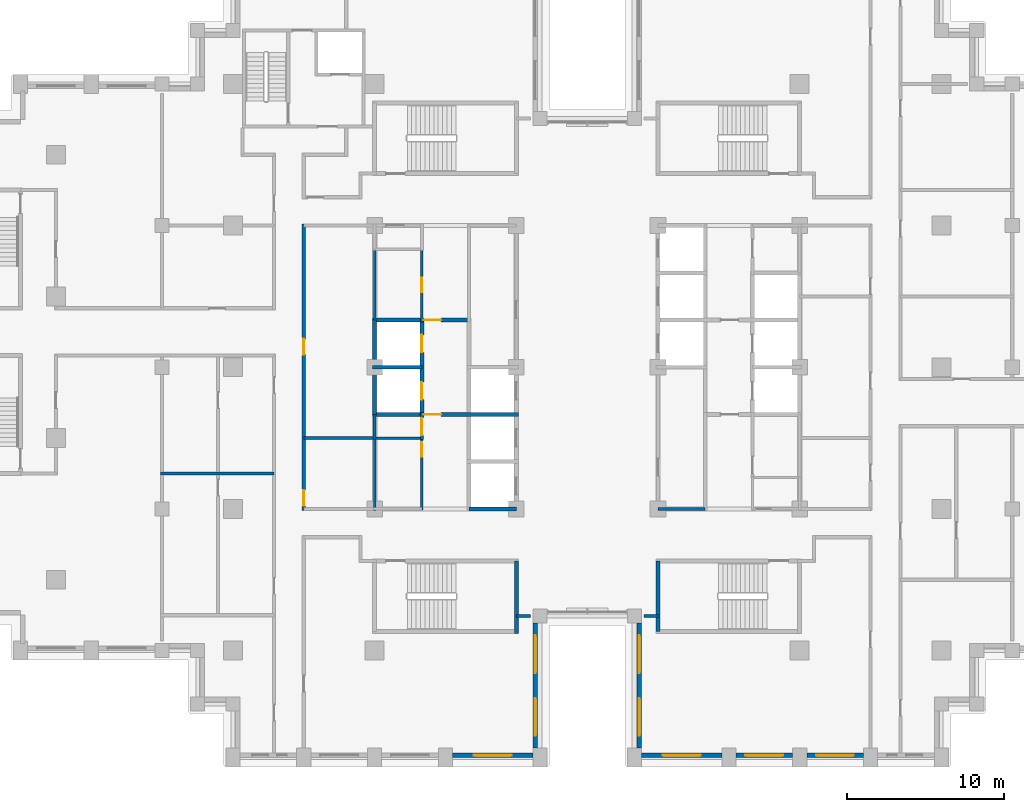
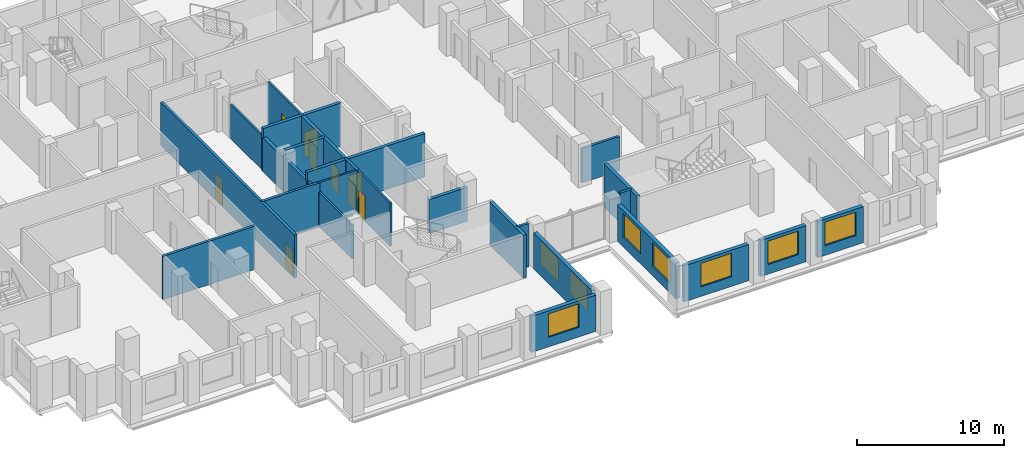
# One storey, part 7 of 16: 27 walls, 9 doors, 8 windows, 17 openings.
"""IFC4 building model written with IfcOpenShell, lengths in metres."""

from ifc_helpers import new_model, si_unit, direction, frame, frame_2d, origin, place, context, subcontext, project, spatial, rectangle, extrude, material, layer, layer_set, type_object, element, fill, save


model = new_model("IFC4")

# Units and contexts
model_context = context("Model", 3, precision=1e-05, world=origin(), true_north=direction((0.0, 1.0)))
body_context = subcontext(model_context, "Body", "Model", "MODEL_VIEW")
ifc_project = project(units=[si_unit("LENGTHUNIT", "METRE"), si_unit("AREAUNIT", "SQUARE_METRE"), si_unit("VOLUMEUNIT", "CUBIC_METRE"), si_unit("PLANEANGLEUNIT", "RADIAN"), si_unit("MASSUNIT", "GRAM", prefix="KILO")], contexts=[model_context])

# Site, building, storey
site_placement = place(None, origin())
site = spatial("IfcSite", under=ifc_project, at=site_placement, CompositionType="ELEMENT")
building_placement = place(site_placement, origin())
building = spatial("IfcBuilding", under=site, at=building_placement, Name="Corbelhall Arena Tower", CompositionType="ELEMENT")
storey_placement = place(building_placement, frame((0.0, 0.0, 116.0)))
storey = spatial("IfcBuildingStorey", under=building, at=storey_placement, Name="L21", CompositionType="ELEMENT", Elevation=116.0)

# Wall, opening, window
ifc_material_1 = material(Name="Precast concrete C40/50 with granite facing", Category="masonry")
ifc_layer_1 = layer(ifc_material_1, 0.300048828125)
ifc_layer_set_1 = layer_set([ifc_layer_1], Name="EV-IW1 Infill panel 300")
wall_type_1 = type_object("IfcWallType", Name="EV-IW1 Infill panel 300", PredefinedType="SOLIDWALL", material=ifc_layer_set_1)
wall_1_placement = place(storey_placement, frame((-8.550048828125, -24.64990234375, 0.0), z_axis=(0.0, 0.0, 1.0), x_axis=(1.0, 0.0, 0.0)))
wall_1 = element("IfcWall", 1, at=wall_1_placement, inside=storey, type_object=wall_type_1, Name="Infill panel IW1", PredefinedType="SOLIDWALL", context=body_context, shape_type="SweptSolid", body=[
    extrude(rectangle(XDim=5.10009765625, YDim=0.300048828125, at=frame_2d((2.550048828125, 0.0))), origin(), (0.0, 0.0, 1.0), 2.99951171875),
])
opening_1_placement = place(wall_1_placement, frame((1.35009765625, 0.0, 0.800048828125)))
opening_1 = element("IfcOpeningElement", 2, at=opening_1_placement, cuts=wall_1, Name="Opening WN1", PredefinedType="OPENING", context=body_context, shape_type="SweptSolid", body=[
    extrude(rectangle(XDim=2.39990234375, YDim=1.949951171875, at=frame_2d((1.199951171875, 0.97509765625))), frame((0.0, 0.14990234375, 0.0), z_axis=(0.0, -1.0, 0.0), x_axis=(1.0, 0.0, 0.0)), (0.0, 0.0, 1.0), 0.300048828125),
])
ifc_material_2 = material(Name="Aluminium black anodised", Category="aluminium")
window_type = type_object("IfcWindowType", Name="EV-WN1 Office window", PartitioningType="SINGLE_PANEL", PredefinedType="WINDOW", material=ifc_material_2)
window_1_placement = place(opening_1_placement, origin())
window_1 = element("IfcWindow", 3, at=window_1_placement, inside=storey, type_object=window_type, Name="Window WN1", OverallHeight=1.949951171875, OverallWidth=2.39990234375, PartitioningType="SINGLE_PANEL", PredefinedType="WINDOW", context=body_context, shape_type="SweptSolid", body=[
    extrude(rectangle(XDim=2.39990234375, YDim=1.949951171875, at=frame_2d((1.199951171875, 0.97509765625))), frame((0.0, 0.030029296875, 0.0), z_axis=(0.0, -1.0, 0.0), x_axis=(1.0, 0.0, 0.0)), (0.0, 0.0, 1.0), 0.06005859375),
])
fill(opening_1, window_1)

# Wall, openings, windows
wall_2_placement = place(storey_placement, frame((-3.300048828125, -24.199951171875, 0.0), z_axis=(0.0, 0.0, 1.0), x_axis=(0.0, 1.0, 0.0)))
wall_2 = element("IfcWall", 4, at=wall_2_placement, inside=storey, type_object=wall_type_1, Name="Infill panel IW1", PredefinedType="SOLIDWALL", context=body_context, shape_type="SweptSolid", body=[
    extrude(rectangle(XDim=7.949951171875, YDim=0.300048828125, at=frame_2d((3.97509765625, 0.0))), origin(), (0.0, 0.0, 1.0), 2.99951171875),
])
opening_2_placement = place(wall_2_placement, frame((0.78759765625, 0.0, 0.800048828125)))
opening_2 = element("IfcOpeningElement", 5, at=opening_2_placement, cuts=wall_2, Name="Opening WN1", PredefinedType="OPENING", context=body_context, shape_type="SweptSolid", body=[
    extrude(rectangle(XDim=2.39990234375, YDim=1.949951171875, at=frame_2d((1.199951171875, 0.97509765625))), frame((0.0, 0.14990234375, 0.0), z_axis=(0.0, -1.0, 0.0), x_axis=(1.0, 0.0, 0.0)), (0.0, 0.0, 1.0), 0.300048828125),
])
opening_3_placement = place(wall_2_placement, frame((4.762451171875, 0.0, 0.800048828125)))
opening_3 = element("IfcOpeningElement", 6, at=opening_3_placement, cuts=wall_2, Name="Opening WN1", PredefinedType="OPENING", context=body_context, shape_type="SweptSolid", body=[
    extrude(rectangle(XDim=2.39990234375, YDim=1.949951171875, at=frame_2d((1.199951171875, 0.97509765625))), frame((0.0, 0.14990234375, 0.0), z_axis=(0.0, -1.0, 0.0), x_axis=(1.0, 0.0, 0.0)), (0.0, 0.0, 1.0), 0.300048828125),
])
window_2_placement = place(opening_2_placement, origin())
window_2 = element("IfcWindow", 7, at=window_2_placement, inside=storey, type_object=window_type, Name="Window WN1", OverallHeight=1.949951171875, OverallWidth=2.39990234375, PartitioningType="SINGLE_PANEL", PredefinedType="WINDOW", context=body_context, shape_type="SweptSolid", body=[
    extrude(rectangle(XDim=2.39990234375, YDim=1.949951171875, at=frame_2d((1.199951171875, 0.97509765625))), frame((0.0, 0.030029296875, 0.0), z_axis=(0.0, -1.0, 0.0), x_axis=(1.0, 0.0, 0.0)), (0.0, 0.0, 1.0), 0.06005859375),
])
fill(opening_2, window_2)
window_3_placement = place(opening_3_placement, origin())
window_3 = element("IfcWindow", 8, at=window_3_placement, inside=storey, type_object=window_type, Name="Window WN1", OverallHeight=1.949951171875, OverallWidth=2.39990234375, PartitioningType="SINGLE_PANEL", PredefinedType="WINDOW", context=body_context, shape_type="SweptSolid", body=[
    extrude(rectangle(XDim=2.39990234375, YDim=1.949951171875, at=frame_2d((1.199951171875, 0.97509765625))), frame((0.0, 0.030029296875, 0.0), z_axis=(0.0, -1.0, 0.0), x_axis=(1.0, 0.0, 0.0)), (0.0, 0.0, 1.0), 0.06005859375),
])
fill(opening_3, window_3)

wall_3_placement = place(storey_placement, frame((3.300048828125, -16.25, 0.0), z_axis=(0.0, 0.0, 1.0), x_axis=(0.0, -1.0, 0.0)))
wall_3 = element("IfcWall", 9, at=wall_3_placement, inside=storey, type_object=wall_type_1, Name="Infill panel IW1", PredefinedType="SOLIDWALL", context=body_context, shape_type="SweptSolid", body=[
    extrude(rectangle(XDim=7.949951171875, YDim=0.300048828125, at=frame_2d((3.97509765625, 0.0))), origin(), (0.0, 0.0, 1.0), 2.99951171875),
])
opening_4_placement = place(wall_3_placement, frame((0.78759765625, 0.0, 0.800048828125)))
opening_4 = element("IfcOpeningElement", 10, at=opening_4_placement, cuts=wall_3, Name="Opening WN1", PredefinedType="OPENING", context=body_context, shape_type="SweptSolid", body=[
    extrude(rectangle(XDim=2.39990234375, YDim=1.949951171875, at=frame_2d((1.199951171875, 0.97509765625))), frame((0.0, 0.14990234375, 0.0), z_axis=(0.0, -1.0, 0.0), x_axis=(1.0, 0.0, 0.0)), (0.0, 0.0, 1.0), 0.300048828125),
])
opening_5_placement = place(wall_3_placement, frame((4.762451171875, 0.0, 0.800048828125)))
opening_5 = element("IfcOpeningElement", 11, at=opening_5_placement, cuts=wall_3, Name="Opening WN1", PredefinedType="OPENING", context=body_context, shape_type="SweptSolid", body=[
    extrude(rectangle(XDim=2.39990234375, YDim=1.949951171875, at=frame_2d((1.199951171875, 0.97509765625))), frame((0.0, 0.14990234375, 0.0), z_axis=(0.0, -1.0, 0.0), x_axis=(1.0, 0.0, 0.0)), (0.0, 0.0, 1.0), 0.300048828125),
])
window_4_placement = place(opening_4_placement, origin())
window_4 = element("IfcWindow", 12, at=window_4_placement, inside=storey, type_object=window_type, Name="Window WN1", OverallHeight=1.949951171875, OverallWidth=2.39990234375, PartitioningType="SINGLE_PANEL", PredefinedType="WINDOW", context=body_context, shape_type="SweptSolid", body=[
    extrude(rectangle(XDim=2.39990234375, YDim=1.949951171875, at=frame_2d((1.199951171875, 0.97509765625))), frame((0.0, 0.030029296875, 0.0), z_axis=(0.0, -1.0, 0.0), x_axis=(1.0, 0.0, 0.0)), (0.0, 0.0, 1.0), 0.06005859375),
])
fill(opening_4, window_4)
window_5_placement = place(opening_5_placement, origin())
window_5 = element("IfcWindow", 13, at=window_5_placement, inside=storey, type_object=window_type, Name="Window WN1", OverallHeight=1.949951171875, OverallWidth=2.39990234375, PartitioningType="SINGLE_PANEL", PredefinedType="WINDOW", context=body_context, shape_type="SweptSolid", body=[
    extrude(rectangle(XDim=2.39990234375, YDim=1.949951171875, at=frame_2d((1.199951171875, 0.97509765625))), frame((0.0, 0.030029296875, 0.0), z_axis=(0.0, -1.0, 0.0), x_axis=(1.0, 0.0, 0.0)), (0.0, 0.0, 1.0), 0.06005859375),
])
fill(opening_5, window_5)

# Wall, opening, window
wall_4_placement = place(storey_placement, frame((3.449951171875, -24.64990234375, 0.0), z_axis=(0.0, 0.0, 1.0), x_axis=(1.0, 0.0, 0.0)))
wall_4 = element("IfcWall", 14, at=wall_4_placement, inside=storey, type_object=wall_type_1, Name="Infill panel IW1", PredefinedType="SOLIDWALL", context=body_context, shape_type="SweptSolid", body=[
    extrude(rectangle(XDim=5.10009765625, YDim=0.300048828125, at=frame_2d((2.550048828125, 0.0))), origin(), (0.0, 0.0, 1.0), 2.99951171875),
])
opening_6_placement = place(wall_4_placement, frame((1.35009765625, 0.0, 0.800048828125)))
opening_6 = element("IfcOpeningElement", 15, at=opening_6_placement, cuts=wall_4, Name="Opening WN1", PredefinedType="OPENING", context=body_context, shape_type="SweptSolid", body=[
    extrude(rectangle(XDim=2.39990234375, YDim=1.949951171875, at=frame_2d((1.199951171875, 0.97509765625))), frame((0.0, 0.14990234375, 0.0), z_axis=(0.0, -1.0, 0.0), x_axis=(1.0, 0.0, 0.0)), (0.0, 0.0, 1.0), 0.300048828125),
])
window_6_placement = place(opening_6_placement, origin())
window_6 = element("IfcWindow", 16, at=window_6_placement, inside=storey, type_object=window_type, Name="Window WN1", OverallHeight=1.949951171875, OverallWidth=2.39990234375, PartitioningType="SINGLE_PANEL", PredefinedType="WINDOW", context=body_context, shape_type="SweptSolid", body=[
    extrude(rectangle(XDim=2.39990234375, YDim=1.949951171875, at=frame_2d((1.199951171875, 0.97509765625))), frame((0.0, 0.030029296875, 0.0), z_axis=(0.0, -1.0, 0.0), x_axis=(1.0, 0.0, 0.0)), (0.0, 0.0, 1.0), 0.06005859375),
])
fill(opening_6, window_6)

wall_5_placement = place(storey_placement, frame((9.449951171875, -24.64990234375, 0.0), z_axis=(0.0, 0.0, 1.0), x_axis=(1.0, 0.0, 0.0)))
wall_5 = element("IfcWall", 17, at=wall_5_placement, inside=storey, type_object=wall_type_1, Name="Infill panel IW1", PredefinedType="SOLIDWALL", context=body_context, shape_type="SweptSolid", body=[
    extrude(rectangle(XDim=3.60009765625, YDim=0.300048828125, at=frame_2d((1.800048828125, 0.0))), origin(), (0.0, 0.0, 1.0), 2.99951171875),
])
opening_7_placement = place(wall_5_placement, frame((0.60009765625, 0.0, 0.800048828125)))
opening_7 = element("IfcOpeningElement", 18, at=opening_7_placement, cuts=wall_5, Name="Opening WN1", PredefinedType="OPENING", context=body_context, shape_type="SweptSolid", body=[
    extrude(rectangle(XDim=2.39990234375, YDim=1.949951171875, at=frame_2d((1.199951171875, 0.97509765625))), frame((0.0, 0.14990234375, 0.0), z_axis=(0.0, -1.0, 0.0), x_axis=(1.0, 0.0, 0.0)), (0.0, 0.0, 1.0), 0.300048828125),
])
window_7_placement = place(opening_7_placement, origin())
window_7 = element("IfcWindow", 19, at=window_7_placement, inside=storey, type_object=window_type, Name="Window WN1", OverallHeight=1.949951171875, OverallWidth=2.39990234375, PartitioningType="SINGLE_PANEL", PredefinedType="WINDOW", context=body_context, shape_type="SweptSolid", body=[
    extrude(rectangle(XDim=2.39990234375, YDim=1.949951171875, at=frame_2d((1.199951171875, 0.97509765625))), frame((0.0, 0.030029296875, 0.0), z_axis=(0.0, -1.0, 0.0), x_axis=(1.0, 0.0, 0.0)), (0.0, 0.0, 1.0), 0.06005859375),
])
fill(opening_7, window_7)

wall_6_placement = place(storey_placement, frame((13.949951171875, -24.64990234375, 0.0), z_axis=(0.0, 0.0, 1.0), x_axis=(1.0, 0.0, 0.0)))
wall_6 = element("IfcWall", 20, at=wall_6_placement, inside=storey, type_object=wall_type_1, Name="Infill panel IW1", PredefinedType="SOLIDWALL", context=body_context, shape_type="SweptSolid", body=[
    extrude(rectangle(XDim=3.60009765625, YDim=0.300048828125, at=frame_2d((1.800048828125, 0.0))), origin(), (0.0, 0.0, 1.0), 2.99951171875),
])
opening_8_placement = place(wall_6_placement, frame((0.60009765625, 0.0, 0.800048828125)))
opening_8 = element("IfcOpeningElement", 21, at=opening_8_placement, cuts=wall_6, Name="Opening WN1", PredefinedType="OPENING", context=body_context, shape_type="SweptSolid", body=[
    extrude(rectangle(XDim=2.39990234375, YDim=1.949951171875, at=frame_2d((1.199951171875, 0.97509765625))), frame((0.0, 0.14990234375, 0.0), z_axis=(0.0, -1.0, 0.0), x_axis=(1.0, 0.0, 0.0)), (0.0, 0.0, 1.0), 0.300048828125),
])
window_8_placement = place(opening_8_placement, origin())
window_8 = element("IfcWindow", 22, at=window_8_placement, inside=storey, type_object=window_type, Name="Window WN1", OverallHeight=1.949951171875, OverallWidth=2.39990234375, PartitioningType="SINGLE_PANEL", PredefinedType="WINDOW", context=body_context, shape_type="SweptSolid", body=[
    extrude(rectangle(XDim=2.39990234375, YDim=1.949951171875, at=frame_2d((1.199951171875, 0.97509765625))), frame((0.0, 0.030029296875, 0.0), z_axis=(0.0, -1.0, 0.0), x_axis=(1.0, 0.0, 0.0)), (0.0, 0.0, 1.0), 0.06005859375),
])
fill(opening_8, window_8)

# Walls
ifc_material_3 = material(Name="Gypsum board on steel stud, acoustic", Category="steel")
ifc_layer_2 = layer(ifc_material_3, 0.199951171875)
ifc_layer_set_2 = layer_set([ifc_layer_2], Name="IN-W-DM200")
wall_type_2 = type_object("IfcWallType", Name="IN-W-DM200", PredefinedType="PARTITIONING", material=ifc_layer_set_2)
wall_7_placement = place(storey_placement, frame((-27.10009765625, -6.75, 0.0), z_axis=(0.0, 0.0, 1.0), x_axis=(1.0, 0.0, 0.0)))
element("IfcWall", 23, at=wall_7_placement, inside=storey, type_object=wall_type_2, Name="Partition 007", PredefinedType="PARTITIONING", context=body_context, shape_type="SweptSolid", body=[
    extrude(rectangle(XDim=7.2001953125, YDim=0.199951171875, at=frame_2d((3.60009765625, 0.0))), origin(), (0.0, 0.0, 1.0), 3.599609375),
])
wall_8_placement = place(storey_placement, frame((-18.0, -4.5, 0.0), z_axis=(0.0, 0.0, 1.0), x_axis=(1.0, 0.0, 0.0)))
element("IfcWall", 24, at=wall_8_placement, inside=storey, type_object=wall_type_2, Name="Partition 019", PredefinedType="PARTITIONING", context=body_context, shape_type="SweptSolid", body=[
    extrude(rectangle(XDim=4.5, YDim=0.199951171875, at=frame_2d((2.25, 0.0))), origin(), (0.0, 0.0, 1.0), 3.599609375),
])

# Wall, openings, doors
wall_9_placement = place(storey_placement, frame((-18.0, 9.10009765625, 0.0), z_axis=(0.0, 0.0, 1.0), x_axis=(0.0, -1.0, 0.0)))
wall_9 = element("IfcWall", 25, at=wall_9_placement, inside=storey, type_object=wall_type_2, Name="Partition 020", PredefinedType="PARTITIONING", context=body_context, shape_type="SweptSolid", body=[
    extrude(rectangle(XDim=18.2001953125, YDim=0.199951171875, at=frame_2d((9.10009765625, 0.0))), origin(), (0.0, 0.0, 1.0), 3.599609375),
])
opening_9_placement = place(wall_9_placement, frame((16.89990234375, 0.0, 0.0)))
opening_9 = element("IfcOpeningElement", 26, at=opening_9_placement, cuts=wall_9, Name="Opening 05022", PredefinedType="OPENING", context=body_context, shape_type="SweptSolid", body=[
    extrude(rectangle(XDim=1.0, YDim=2.10009765625, at=frame_2d((0.5, 1.050048828125))), frame((0.0, 0.10009765625, 0.0), z_axis=(0.0, -1.0, 0.0), x_axis=(1.0, 0.0, 0.0)), (0.0, 0.0, 1.0), 0.199951171875),
])
opening_10_placement = place(wall_9_placement, frame((7.300048828125, 0.0, 0.0)))
opening_10 = element("IfcOpeningElement", 27, at=opening_10_placement, cuts=wall_9, Name="Opening 05023", PredefinedType="OPENING", context=body_context, shape_type="SweptSolid", body=[
    extrude(rectangle(XDim=1.0, YDim=2.10009765625, at=frame_2d((0.5, 1.050048828125))), frame((0.0, 0.10009765625, 0.0), z_axis=(0.0, -1.0, 0.0), x_axis=(1.0, 0.0, 0.0)), (0.0, 0.0, 1.0), 0.199951171875),
])
ifc_material_4 = material(Name="Steel door set", Category="steel")
door_type_1 = type_object("IfcDoorType", Name="IN-D-SW100", OperationType="NOTDEFINED", PredefinedType="DOOR", material=ifc_material_4)
door_1_placement = place(opening_9_placement, origin())
door_1 = element("IfcDoor", 28, at=door_1_placement, inside=storey, type_object=door_type_1, Name="Door 022", OperationType="SINGLE_SWING_LEFT", OverallHeight=2.10009765625, OverallWidth=1.0, PredefinedType="DOOR", context=body_context, shape_type="SweptSolid", body=[
    extrude(rectangle(XDim=1.0, YDim=2.10009765625, at=frame_2d((0.5, 1.050048828125))), frame((0.0, 0.02490234375, 0.0), z_axis=(0.0, -1.0, 0.0), x_axis=(1.0, 0.0, 0.0)), (0.0, 0.0, 1.0), 0.050048828125),
])
fill(opening_9, door_1)
door_2_placement = place(opening_10_placement, origin())
door_2 = element("IfcDoor", 29, at=door_2_placement, inside=storey, type_object=door_type_1, Name="Door 023", OperationType="SINGLE_SWING_RIGHT", OverallHeight=2.10009765625, OverallWidth=1.0, PredefinedType="DOOR", context=body_context, shape_type="SweptSolid", body=[
    extrude(rectangle(XDim=1.0, YDim=2.10009765625, at=frame_2d((0.5, 1.050048828125))), frame((0.0, 0.02490234375, 0.0), z_axis=(0.0, -1.0, 0.0), x_axis=(1.0, 0.0, 0.0)), (0.0, 0.0, 1.0), 0.050048828125),
])
fill(opening_10, door_2)

# Walls
for number, where, z_axis, x_axis, name in (
    (30, (-3.60009765625, -15.800048828125, 0.0), (0.0, 0.0, 1.0), (-1.0, 0.0, 0.0), "Partition 033"),
    (31, (4.5, -15.800048828125, 0.0), (0.0, 0.0, 1.0), (-1.0, 0.0, 0.0), "Partition 035"),
):
    element("IfcWall", number, at=place(storey_placement, frame(where, z_axis=z_axis, x_axis=x_axis)), inside=storey, type_object=wall_type_2, Name=name, PredefinedType="PARTITIONING", context=body_context, shape_type="SweptSolid", body=[
        extrude(rectangle(XDim=0.89990234375, YDim=0.199951171875, at=frame_2d((0.449951171875, 0.0))), origin(), (0.0, 0.0, 1.0), 3.599609375),
    ])

# Wall, opening, door
ifc_material_5 = material(Name="Concrete block wall", Category="concrete")
ifc_layer_3 = layer(ifc_material_5, 0.199951171875)
ifc_layer_set_3 = layer_set([ifc_layer_3], Name="IN-W-RS200")
wall_type_3 = type_object("IfcWallType", Name="IN-W-RS200", PredefinedType="SOLIDWALL", material=ifc_layer_set_3)
wall_10_placement = place(storey_placement, frame((-10.5, -4.574951171875, 0.0), z_axis=(0.0, 0.0, 1.0), x_axis=(0.0, 1.0, 0.0)))
wall_10 = element("IfcWall", 32, at=wall_10_placement, inside=storey, type_object=wall_type_3, Name="Partition 067", PredefinedType="SOLIDWALL", context=body_context, shape_type="SweptSolid", body=[
    extrude(rectangle(XDim=1.699951171875, YDim=0.199951171875, at=frame_2d((0.85009765625, 0.0))), origin(), (0.0, 0.0, 1.0), 3.599609375),
])
opening_11_placement = place(wall_10_placement, frame((0.25, 0.0, 0.0)))
opening_11 = element("IfcOpeningElement", 33, at=opening_11_placement, cuts=wall_10, Name="Opening 05005", PredefinedType="OPENING", context=body_context, shape_type="SweptSolid", body=[
    extrude(rectangle(XDim=1.10009765625, YDim=2.10009765625, at=frame_2d((0.550048828125, 1.050048828125))), frame((0.0, 0.10009765625, 0.0), z_axis=(0.0, -1.0, 0.0), x_axis=(1.0, 0.0, 0.0)), (0.0, 0.0, 1.0), 0.199951171875),
])
door_type_2 = type_object("IfcDoorType", Name="IN-D-FD110", OperationType="NOTDEFINED", PredefinedType="DOOR", material=ifc_material_4)
door_3_placement = place(opening_11_placement, origin())
door_3 = element("IfcDoor", 34, at=door_3_placement, inside=storey, type_object=door_type_2, Name="Door 005", OperationType="SINGLE_SWING_RIGHT", OverallHeight=2.10009765625, OverallWidth=1.10009765625, PredefinedType="DOOR", context=body_context, shape_type="SweptSolid", body=[
    extrude(rectangle(XDim=1.10009765625, YDim=2.10009765625, at=frame_2d((0.550048828125, 1.050048828125))), frame((0.0, 0.02490234375, 0.0), z_axis=(0.0, -1.0, 0.0), x_axis=(1.0, 0.0, 0.0)), (0.0, 0.0, 1.0), 0.050048828125),
])
fill(opening_11, door_3)

# Walls
ifc_layer_4 = layer(ifc_material_5, 0.199951171875)
ifc_layer_set_4 = layer_set([ifc_layer_4], Name="IN-W-RS200 under beam 762 mm")
wall_type_4 = type_object("IfcWallType", Name="IN-W-RS200 under beam 762 mm", PredefinedType="SOLIDWALL", material=ifc_layer_set_4)
wall_11_placement = place(storey_placement, frame((-13.5, -4.60009765625, 0.0), z_axis=(0.0, 0.0, 1.0), x_axis=(0.0, 1.0, 0.0)))
element("IfcWall", 35, at=wall_11_placement, inside=storey, type_object=wall_type_4, Name="Partition 065", PredefinedType="SOLIDWALL", context=body_context, shape_type="SweptSolid", body=[
    extrude(rectangle(XDim=1.60009765625, YDim=0.199951171875, at=frame_2d((0.800048828125, 0.0))), origin(), (0.0, 0.0, 1.0), 2.837646484375),
])
wall_12_placement = place(storey_placement, frame((7.5, -9.0, 0.0), z_axis=(0.0, 0.0, 1.0), x_axis=(-1.0, 0.0, 0.0)))
element("IfcWall", 36, at=wall_12_placement, inside=storey, type_object=wall_type_4, Name="Partition 073", PredefinedType="SOLIDWALL", context=body_context, shape_type="SweptSolid", body=[
    extrude(rectangle(XDim=3.0, YDim=0.199951171875, at=frame_2d((1.5, 0.0))), origin(), (0.0, 0.0, 1.0), 2.837646484375),
])
ifc_material_6 = material(Name="Concrete C40/50", Category="concrete")
ifc_layer_5 = layer(ifc_material_6, 0.25)
ifc_layer_set_5 = layer_set([ifc_layer_5], Name="IN-W-SH250")
wall_type_5 = type_object("IfcWallType", Name="IN-W-SH250", PredefinedType="SOLIDWALL", material=ifc_layer_set_5)
wall_13_placement = place(storey_placement, frame((-13.625, 0.0, 0.0), z_axis=(0.0, 0.0, 1.0), x_axis=(1.0, 0.0, 0.0)))
element("IfcWall", 37, at=wall_13_placement, inside=storey, type_object=wall_type_5, Name="Shaft wall 080", PredefinedType="SOLIDWALL", context=body_context, shape_type="SweptSolid", body=[
    extrude(rectangle(XDim=3.125, YDim=0.25, at=frame_2d((1.5625, 0.0))), origin(), (0.0, 0.0, 1.0), 3.599609375),
])

# Wall, opening, door
wall_14_placement = place(storey_placement, frame((-13.625, 3.0, 0.0), z_axis=(0.0, 0.0, 1.0), x_axis=(1.0, 0.0, 0.0)))
wall_14 = element("IfcWall", 38, at=wall_14_placement, inside=storey, type_object=wall_type_5, Name="Shaft wall 081", PredefinedType="SOLIDWALL", context=body_context, shape_type="SweptSolid", body=[
    extrude(rectangle(XDim=6.125, YDim=0.25, at=frame_2d((3.0625, 0.0))), origin(), (0.0, 0.0, 1.0), 3.599609375),
])
opening_12_placement = place(wall_14_placement, frame((3.25, 0.0, 0.0)))
opening_12 = element("IfcOpeningElement", 39, at=opening_12_placement, cuts=wall_14, Name="Opening 05003", PredefinedType="OPENING", context=body_context, shape_type="SweptSolid", body=[
    extrude(rectangle(XDim=1.10009765625, YDim=2.10009765625, at=frame_2d((0.550048828125, 1.050048828125))), frame((0.0, 0.125, 0.0), z_axis=(0.0, -1.0, 0.0), x_axis=(1.0, 0.0, 0.0)), (0.0, 0.0, 1.0), 0.25),
])
door_4_placement = place(opening_12_placement, origin())
door_4 = element("IfcDoor", 40, at=door_4_placement, inside=storey, type_object=door_type_2, Name="Door 003", OperationType="SINGLE_SWING_RIGHT", OverallHeight=2.10009765625, OverallWidth=1.10009765625, PredefinedType="DOOR", context=body_context, shape_type="SweptSolid", body=[
    extrude(rectangle(XDim=1.10009765625, YDim=2.10009765625, at=frame_2d((0.550048828125, 1.050048828125))), frame((0.0, 0.02490234375, 0.0), z_axis=(0.0, -1.0, 0.0), x_axis=(1.0, 0.0, 0.0)), (0.0, 0.0, 1.0), 0.050048828125),
])
fill(opening_12, door_4)

wall_15_placement = place(storey_placement, frame((-13.625, -3.0, 0.0), z_axis=(0.0, 0.0, 1.0), x_axis=(1.0, 0.0, 0.0)))
wall_15 = element("IfcWall", 41, at=wall_15_placement, inside=storey, type_object=wall_type_5, Name="Shaft wall 083", PredefinedType="SOLIDWALL", context=body_context, shape_type="SweptSolid", body=[
    extrude(rectangle(XDim=9.25, YDim=0.25, at=frame_2d((4.625, 0.0))), origin(), (0.0, 0.0, 1.0), 3.599609375),
])
opening_13_placement = place(wall_15_placement, frame((3.25, 0.0, 0.0)))
opening_13 = element("IfcOpeningElement", 42, at=opening_13_placement, cuts=wall_15, Name="Opening 05002", PredefinedType="OPENING", context=body_context, shape_type="SweptSolid", body=[
    extrude(rectangle(XDim=1.10009765625, YDim=2.10009765625, at=frame_2d((0.550048828125, 1.050048828125))), frame((0.0, 0.125, 0.0), z_axis=(0.0, -1.0, 0.0), x_axis=(1.0, 0.0, 0.0)), (0.0, 0.0, 1.0), 0.25),
])
door_5_placement = place(opening_13_placement, origin())
door_5 = element("IfcDoor", 43, at=door_5_placement, inside=storey, type_object=door_type_2, Name="Door 002", OperationType="SINGLE_SWING_LEFT", OverallHeight=2.10009765625, OverallWidth=1.10009765625, PredefinedType="DOOR", context=body_context, shape_type="SweptSolid", body=[
    extrude(rectangle(XDim=1.10009765625, YDim=2.10009765625, at=frame_2d((0.550048828125, 1.050048828125))), frame((0.0, 0.02490234375, 0.0), z_axis=(0.0, -1.0, 0.0), x_axis=(1.0, 0.0, 0.0)), (0.0, 0.0, 1.0), 0.050048828125),
])
fill(opening_13, door_5)

# Wall, openings, doors
wall_16_placement = place(storey_placement, frame((-10.5, -3.125, 0.0), z_axis=(0.0, 0.0, 1.0), x_axis=(0.0, 1.0, 0.0)))
wall_16 = element("IfcWall", 44, at=wall_16_placement, inside=storey, type_object=wall_type_5, Name="Shaft wall 084", PredefinedType="SOLIDWALL", context=body_context, shape_type="SweptSolid", body=[
    extrude(rectangle(XDim=6.25, YDim=0.25, at=frame_2d((3.125, 0.0))), origin(), (0.0, 0.0, 1.0), 3.599609375),
])
opening_14_placement = place(wall_16_placement, frame((1.074951171875, 0.0, 0.0)))
opening_14 = element("IfcOpeningElement", 45, at=opening_14_placement, cuts=wall_16, Name="Opening LD", PredefinedType="OPENING", context=body_context, shape_type="SweptSolid", body=[
    extrude(rectangle(XDim=1.10009765625, YDim=2.10009765625, at=frame_2d((0.550048828125, 1.050048828125))), frame((0.0, 0.125, 0.0), z_axis=(0.0, -1.0, 0.0), x_axis=(1.0, 0.0, 0.0)), (0.0, 0.0, 1.0), 0.25),
])
opening_15_placement = place(wall_16_placement, frame((4.074951171875, 0.0, 0.0)))
opening_15 = element("IfcOpeningElement", 46, at=opening_15_placement, cuts=wall_16, Name="Opening LD", PredefinedType="OPENING", context=body_context, shape_type="SweptSolid", body=[
    extrude(rectangle(XDim=1.10009765625, YDim=2.10009765625, at=frame_2d((0.550048828125, 1.050048828125))), frame((0.0, 0.125, 0.0), z_axis=(0.0, -1.0, 0.0), x_axis=(1.0, 0.0, 0.0)), (0.0, 0.0, 1.0), 0.25),
])
door_type_3 = type_object("IfcDoorType", Name="IN-D-LD110", OperationType="NOTDEFINED", PredefinedType="DOOR", material=ifc_material_4)
door_6_placement = place(opening_14_placement, origin())
door_6 = element("IfcDoor", 47, at=door_6_placement, inside=storey, type_object=door_type_3, Name="Landing door W3", OperationType="SLIDING_TO_LEFT", OverallHeight=2.10009765625, OverallWidth=1.10009765625, PredefinedType="DOOR", context=body_context, shape_type="SweptSolid", body=[
    extrude(rectangle(XDim=1.10009765625, YDim=2.10009765625, at=frame_2d((0.550048828125, 1.050048828125))), frame((0.0, 0.02490234375, 0.0), z_axis=(0.0, -1.0, 0.0), x_axis=(1.0, 0.0, 0.0)), (0.0, 0.0, 1.0), 0.050048828125),
])
fill(opening_14, door_6)
door_7_placement = place(opening_15_placement, origin())
door_7 = element("IfcDoor", 48, at=door_7_placement, inside=storey, type_object=door_type_3, Name="Landing door W4", OperationType="SLIDING_TO_LEFT", OverallHeight=2.10009765625, OverallWidth=1.10009765625, PredefinedType="DOOR", context=body_context, shape_type="SweptSolid", body=[
    extrude(rectangle(XDim=1.10009765625, YDim=2.10009765625, at=frame_2d((0.550048828125, 1.050048828125))), frame((0.0, 0.02490234375, 0.0), z_axis=(0.0, -1.0, 0.0), x_axis=(1.0, 0.0, 0.0)), (0.0, 0.0, 1.0), 0.050048828125),
])
fill(opening_15, door_7)

# Walls
ifc_layer_6 = layer(ifc_material_6, 0.25)
ifc_layer_set_6 = layer_set([ifc_layer_6], Name="IN-W-SH250 under beam 762 mm")
wall_type_6 = type_object("IfcWallType", Name="IN-W-SH250 under beam 762 mm", PredefinedType="SOLIDWALL", material=ifc_layer_set_6)
wall_17_placement = place(storey_placement, frame((-13.5, -3.0, 0.0), z_axis=(0.0, 0.0, 1.0), x_axis=(0.0, 1.0, 0.0)))
element("IfcWall", 49, at=wall_17_placement, inside=storey, type_object=wall_type_6, Name="Shaft wall 082", PredefinedType="SOLIDWALL", context=body_context, shape_type="SweptSolid", body=[
    extrude(rectangle(XDim=6.0, YDim=0.25, at=frame_2d((3.0, 0.0))), origin(), (0.0, 0.0, 1.0), 2.837646484375),
])
wall_18_placement = place(storey_placement, frame((-4.5, -9.0, 0.0), z_axis=(0.0, 0.0, 1.0), x_axis=(-1.0, 0.0, 0.0)))
element("IfcWall", 50, at=wall_18_placement, inside=storey, type_object=wall_type_6, Name="Shaft wall 088", PredefinedType="SOLIDWALL", context=body_context, shape_type="SweptSolid", body=[
    extrude(rectangle(XDim=3.0, YDim=0.25, at=frame_2d((1.5, 0.0))), origin(), (0.0, 0.0, 1.0), 2.837646484375),
])
ifc_layer_7 = layer(ifc_material_6, 0.25)
ifc_layer_set_7 = layer_set([ifc_layer_7], Name="IN-W-ST250")
wall_type_7 = type_object("IfcWallType", Name="IN-W-ST250", PredefinedType="SOLIDWALL", material=ifc_layer_set_7)
wall_19_placement = place(storey_placement, frame((-4.5, -12.300048828125, 0.0), z_axis=(0.0, 0.0, 1.0), x_axis=(0.0, -1.0, 0.0)))
element("IfcWall", 51, at=wall_19_placement, inside=storey, type_object=wall_type_7, Name="Shaft wall 112", PredefinedType="SOLIDWALL", context=body_context, shape_type="SweptSolid", body=[
    extrude(rectangle(XDim=4.625, YDim=0.25, at=frame_2d((2.3125, 0.0))), origin(), (0.0, 0.0, 1.0), 3.599609375),
])
wall_20_placement = place(storey_placement, frame((4.5, -16.800048828125, 0.0), z_axis=(0.0, 0.0, 1.0), x_axis=(0.0, 1.0, 0.0)))
element("IfcWall", 52, at=wall_20_placement, inside=storey, type_object=wall_type_7, Name="Shaft wall 117", PredefinedType="SOLIDWALL", context=body_context, shape_type="SweptSolid", body=[
    extrude(rectangle(XDim=4.5, YDim=0.25, at=frame_2d((2.25, 0.0))), origin(), (0.0, 0.0, 1.0), 3.599609375),
])
ifc_material_7 = material(Name="Gypsum board on steel stud, moisture resistant", Category="steel")
ifc_layer_8 = layer(ifc_material_7, 0.14990234375)
ifc_layer_set_8 = layer_set([ifc_layer_8], Name="IN-W-WC150")
wall_type_8 = type_object("IfcWallType", Name="IN-W-WC150", PredefinedType="PARTITIONING", material=ifc_layer_set_8)
wall_21_placement = place(storey_placement, frame((-13.60009765625, -4.5, 0.0), z_axis=(0.0, 0.0, 1.0), x_axis=(1.0, 0.0, 0.0)))
element("IfcWall", 53, at=wall_21_placement, inside=storey, type_object=wall_type_8, Name="Partition 129", PredefinedType="PARTITIONING", context=body_context, shape_type="SweptSolid", body=[
    extrude(rectangle(XDim=3.10009765625, YDim=0.14990234375, at=frame_2d((1.550048828125, 0.0))), origin(), (0.0, 0.0, 1.0), 3.599609375),
])

# Wall, opening, door
wall_22_placement = place(storey_placement, frame((-10.5, -9.074951171875, 0.0), z_axis=(0.0, 0.0, 1.0), x_axis=(0.0, 1.0, 0.0)))
wall_22 = element("IfcWall", 54, at=wall_22_placement, inside=storey, type_object=wall_type_8, Name="Partition 133", PredefinedType="PARTITIONING", context=body_context, shape_type="SweptSolid", body=[
    extrude(rectangle(XDim=4.64990234375, YDim=0.14990234375, at=frame_2d((2.324951171875, 0.0))), origin(), (0.0, 0.0, 1.0), 3.599609375),
])
opening_16_placement = place(wall_22_placement, frame((3.39990234375, 0.0, 0.0)))
opening_16 = element("IfcOpeningElement", 55, at=opening_16_placement, cuts=wall_22, Name="Opening 05004", PredefinedType="OPENING", context=body_context, shape_type="SweptSolid", body=[
    extrude(rectangle(XDim=0.89990234375, YDim=2.10009765625, at=frame_2d((0.449951171875, 1.050048828125))), frame((0.0, 0.074951171875, 0.0), z_axis=(0.0, -1.0, 0.0), x_axis=(1.0, 0.0, 0.0)), (0.0, 0.0, 1.0), 0.14990234375),
])
ifc_material_8 = material(Name="Timber door set", Category="wood")
door_type_4 = type_object("IfcDoorType", Name="IN-D-SW90", OperationType="NOTDEFINED", PredefinedType="DOOR", material=ifc_material_8)
door_8_placement = place(opening_16_placement, origin())
door_8 = element("IfcDoor", 56, at=door_8_placement, inside=storey, type_object=door_type_4, Name="Door 004", OperationType="SINGLE_SWING_LEFT", OverallHeight=2.10009765625, OverallWidth=0.89990234375, PredefinedType="DOOR", context=body_context, shape_type="SweptSolid", body=[
    extrude(rectangle(XDim=0.89990234375, YDim=2.10009765625, at=frame_2d((0.449951171875, 1.050048828125))), frame((0.0, 0.02490234375, 0.0), z_axis=(0.0, -1.0, 0.0), x_axis=(1.0, 0.0, 0.0)), (0.0, 0.0, 1.0), 0.050048828125),
])
fill(opening_16, door_8)

wall_23_placement = place(storey_placement, frame((-10.5, 2.875, 0.0), z_axis=(0.0, 0.0, 1.0), x_axis=(0.0, 1.0, 0.0)))
wall_23 = element("IfcWall", 57, at=wall_23_placement, inside=storey, type_object=wall_type_8, Name="Partition 135", PredefinedType="PARTITIONING", context=body_context, shape_type="SweptSolid", body=[
    extrude(rectangle(XDim=4.699951171875, YDim=0.14990234375, at=frame_2d((2.35009765625, 0.0))), origin(), (0.0, 0.0, 1.0), 3.599609375),
])
opening_17_placement = place(wall_23_placement, frame((1.89990234375, 0.0, 0.0)))
opening_17 = element("IfcOpeningElement", 58, at=opening_17_placement, cuts=wall_23, Name="Opening 05006", PredefinedType="OPENING", context=body_context, shape_type="SweptSolid", body=[
    extrude(rectangle(XDim=0.89990234375, YDim=2.10009765625, at=frame_2d((0.449951171875, 1.050048828125))), frame((0.0, 0.074951171875, 0.0), z_axis=(0.0, -1.0, 0.0), x_axis=(1.0, 0.0, 0.0)), (0.0, 0.0, 1.0), 0.14990234375),
])
door_9_placement = place(opening_17_placement, origin())
door_9 = element("IfcDoor", 59, at=door_9_placement, inside=storey, type_object=door_type_4, Name="Door 006", OperationType="SINGLE_SWING_LEFT", OverallHeight=2.10009765625, OverallWidth=0.89990234375, PredefinedType="DOOR", context=body_context, shape_type="SweptSolid", body=[
    extrude(rectangle(XDim=0.89990234375, YDim=2.10009765625, at=frame_2d((0.449951171875, 1.050048828125))), frame((0.0, 0.02490234375, 0.0), z_axis=(0.0, -1.0, 0.0), x_axis=(1.0, 0.0, 0.0)), (0.0, 0.0, 1.0), 0.050048828125),
])
fill(opening_17, door_9)

# Walls
ifc_layer_9 = layer(ifc_material_7, 0.14990234375)
ifc_layer_set_9 = layer_set([ifc_layer_9], Name="IN-W-WC150 under beam 762 mm")
wall_type_9 = type_object("IfcWallType", Name="IN-W-WC150 under beam 762 mm", PredefinedType="PARTITIONING", material=ifc_layer_set_9)
wall_24_placement = place(storey_placement, frame((-13.5, -9.10009765625, 0.0), z_axis=(0.0, 0.0, 1.0), x_axis=(0.0, 1.0, 0.0)))
element("IfcWall", 60, at=wall_24_placement, inside=storey, type_object=wall_type_9, Name="Partition 131", PredefinedType="PARTITIONING", context=body_context, shape_type="SweptSolid", body=[
    extrude(rectangle(XDim=4.7001953125, YDim=0.14990234375, at=frame_2d((2.35009765625, 0.0))), origin(), (0.0, 0.0, 1.0), 2.837646484375),
])
wall_25_placement = place(storey_placement, frame((-13.5, 3.0, 0.0), z_axis=(0.0, 0.0, 1.0), x_axis=(0.0, 1.0, 0.0)))
element("IfcWall", 61, at=wall_25_placement, inside=storey, type_object=wall_type_9, Name="Partition 132", PredefinedType="PARTITIONING", context=body_context, shape_type="SweptSolid", body=[
    extrude(rectangle(XDim=4.5, YDim=0.14990234375, at=frame_2d((2.25, 0.0))), origin(), (0.0, 0.0, 1.0), 2.837646484375),
])

save(model, "model.ifc")
